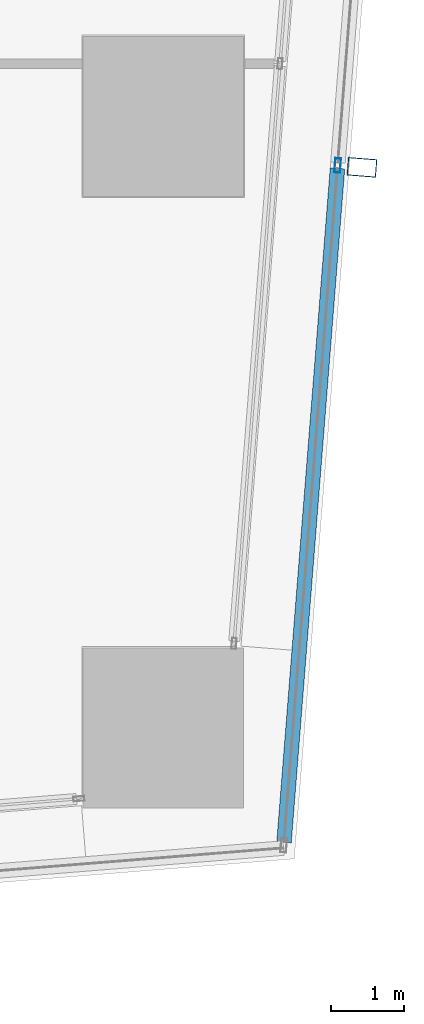
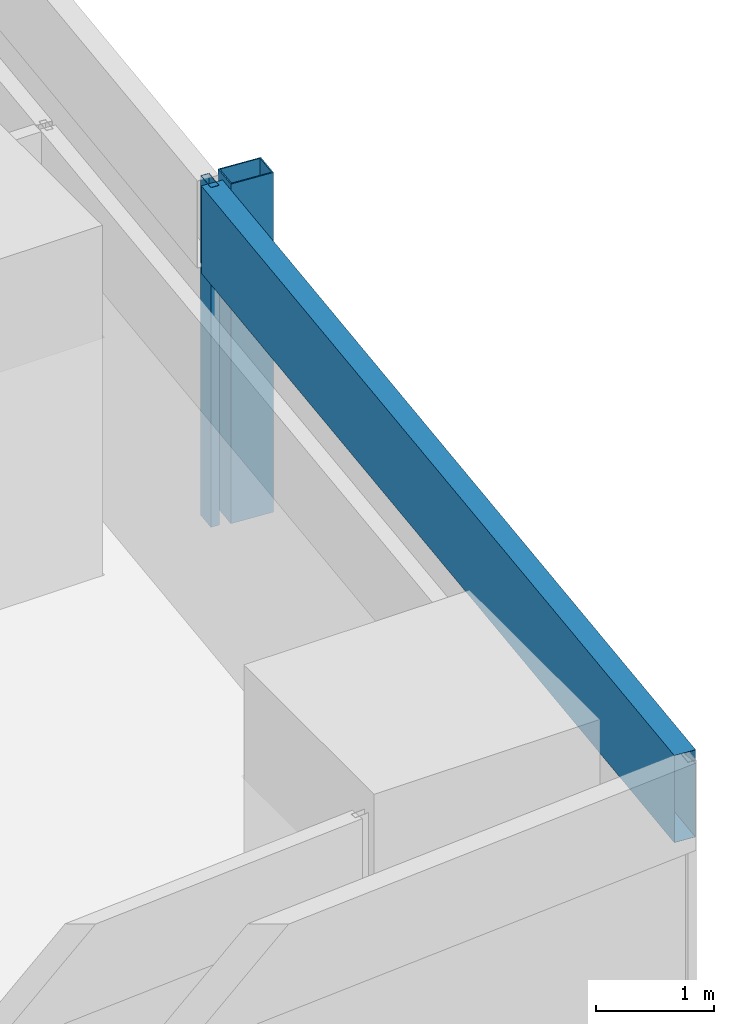
# One storey, part 25 of 44: 3 members, 1 element without a shape of its own.
"""IFC4 building model written with IfcOpenShell, lengths in metres."""

from ifc_helpers import new_model, si_unit, direction, frame, origin, origin_2d, place, context, subcontext, project, spatial, hollow_rectangle, extrude, material, material_profile, profile_set, type_object, element, aggregate, save


model = new_model("IFC4")

# Units and contexts
model_context = context("Model", 3, precision=1e-05, world=origin(), true_north=direction((0.0, 1.0)))
body_context = subcontext(model_context, "Body", "Model", "MODEL_VIEW")
ifc_project = project(units=[si_unit("LENGTHUNIT", "METRE"), si_unit("AREAUNIT", "SQUARE_METRE"), si_unit("VOLUMEUNIT", "CUBIC_METRE"), si_unit("PLANEANGLEUNIT", "RADIAN"), si_unit("MASSUNIT", "GRAM", prefix="KILO")], contexts=[model_context])

# Site, building, storey
site_placement = place(None, origin())
site = spatial("IfcSite", under=ifc_project, at=site_placement, CompositionType="ELEMENT")
building_placement = place(site_placement, origin())
building = spatial("IfcBuilding", under=site, at=building_placement, Name="Rekha Terrace Tower", CompositionType="ELEMENT")
storey_placement = place(building_placement, frame((0.0, 0.0, 74.14990234375)))
storey = spatial("IfcBuildingStorey", under=building, at=storey_placement, Name="L18", CompositionType="ELEMENT", Elevation=74.14990234375)

# Curtain wall, members
ifc_material_1 = material(Name="Aluminium framing", Category="aluminium")
curtain_wall_type = type_object("IfcCurtainWallType", Name="CW2 double skin outer glazing", PredefinedType="USERDEFINED", material=ifc_material_1)
curtain_wall_placement = place(storey_placement, origin())
curtain_wall = element("IfcCurtainWall", 1, at=curtain_wall_placement, inside=storey, type_object=curtain_wall_type, Name="CW2 double skin outer glazing", ObjectType="DOUBLE SKIN OUTER GLAZING", PredefinedType="USERDEFINED")
ifc_material_2 = material(Name="Steel S355 with fluorocarbon finish", Category="steel")
ifc_material_profile_1 = material_profile(ifc_material_2, hollow_rectangle(XDim=0.25, YDim=0.39990234375, WallThickness=0.012451171875, at=origin_2d()), Name="RHS400x250x12.5")
ifc_profile_set_1 = profile_set([ifc_material_profile_1], Name="Steel S355 with fluorocarbon finish")
member_type_1 = type_object("IfcMemberType", Name="BL1 facade blade RHS 400 x 250", PredefinedType="USERDEFINED", material=ifc_profile_set_1)
member_1_placement = place(storey_placement, frame((69.929443359375, 16.099365234375, 0.0), z_axis=(0.0, 0.0, 1.0), x_axis=(0.079116779322, 0.996865354614, 0.0)))
member_1 = element("IfcMember", 2, at=member_1_placement, type_object=member_type_1, Name="Facade blade", ObjectType="FACADE BLADE", PredefinedType="USERDEFINED", context=body_context, shape_type="SweptSolid", body=[
    extrude(hollow_rectangle(XDim=0.25, YDim=0.39990234375, WallThickness=0.012451171875, at=origin_2d()), origin(), (0.0, 0.0, 1.0), 3.5),
])
ifc_material_3 = material(Name="Aluminium mullion section", Category="aluminium")
ifc_material_profile_2 = material_profile(ifc_material_3, hollow_rectangle(XDim=0.080078125, YDim=0.199951171875, WallThickness=0.00390625, at=origin_2d()), Name="AL RHS 80x200")
ifc_profile_set_2 = profile_set([ifc_material_profile_2], Name="Aluminium mullion section")
member_type_2 = type_object("IfcMemberType", Name="CW2 mullion RHS 80 x 200", PredefinedType="MULLION", material=ifc_profile_set_2)
member_2_placement = place(storey_placement, frame((69.595458984375, 16.125732421875, 0.0), z_axis=(0.0, 0.0, 1.0), x_axis=(-0.996865392575, 0.079116301017, 0.0)))
member_2 = element("IfcMember", 3, at=member_2_placement, type_object=member_type_2, Name="CW2 mullion 2", PredefinedType="MULLION", context=body_context, shape_type="SweptSolid", body=[
    extrude(hollow_rectangle(XDim=0.080078125, YDim=0.199951171875, WallThickness=0.00390625, at=origin_2d()), origin(), (0.0, 0.0, 1.0), 3.5),
])
ifc_material_4 = material(Name="Insulated aluminium spandrel box", Category="aluminium")
ifc_material_profile_3 = material_profile(ifc_material_4, hollow_rectangle(XDim=0.199951171875, YDim=0.89990234375, WallThickness=0.0029296875, at=origin_2d()), Name="AL SPANDREL BOX 200x900")
ifc_profile_set_3 = profile_set([ifc_material_profile_3], Name="Insulated aluminium spandrel box")
member_type_3 = type_object("IfcMemberType", Name="CW2 spandrel transom 200 x 900", PredefinedType="USERDEFINED", material=ifc_profile_set_3)
member_3_placement = place(storey_placement, frame((68.857666015625, 6.828369140625, 3.050048828125), z_axis=(0.079104689968, 0.996866314019, 0.0), x_axis=(-0.996866314019, 0.079104689968, 0.0)))
member_3 = element("IfcMember", 4, at=member_3_placement, type_object=member_type_3, Name="CW2 spandrel transom 1", ObjectType="TRANSOM", PredefinedType="USERDEFINED", context=body_context, shape_type="SweptSolid", body=[
    extrude(hollow_rectangle(XDim=0.199951171875, YDim=0.89990234375, WallThickness=0.0029296875, at=origin_2d()), origin(), (0.0, 0.0, 1.0), 9.28662109375),
])
aggregate(curtain_wall, [member_2, member_3, member_1])

save(model, "model.ifc")
